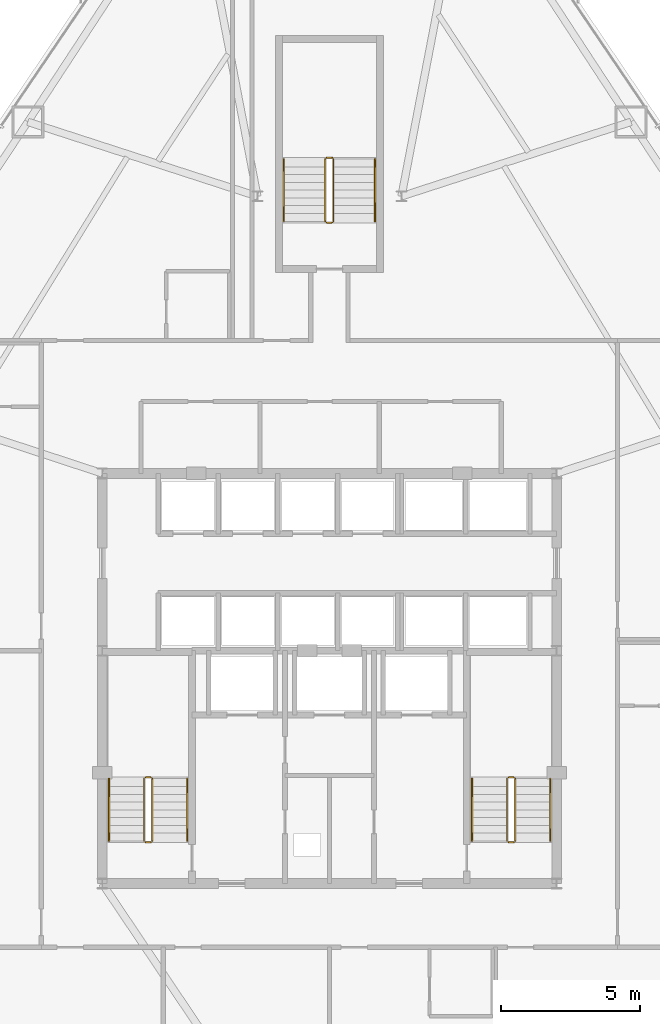
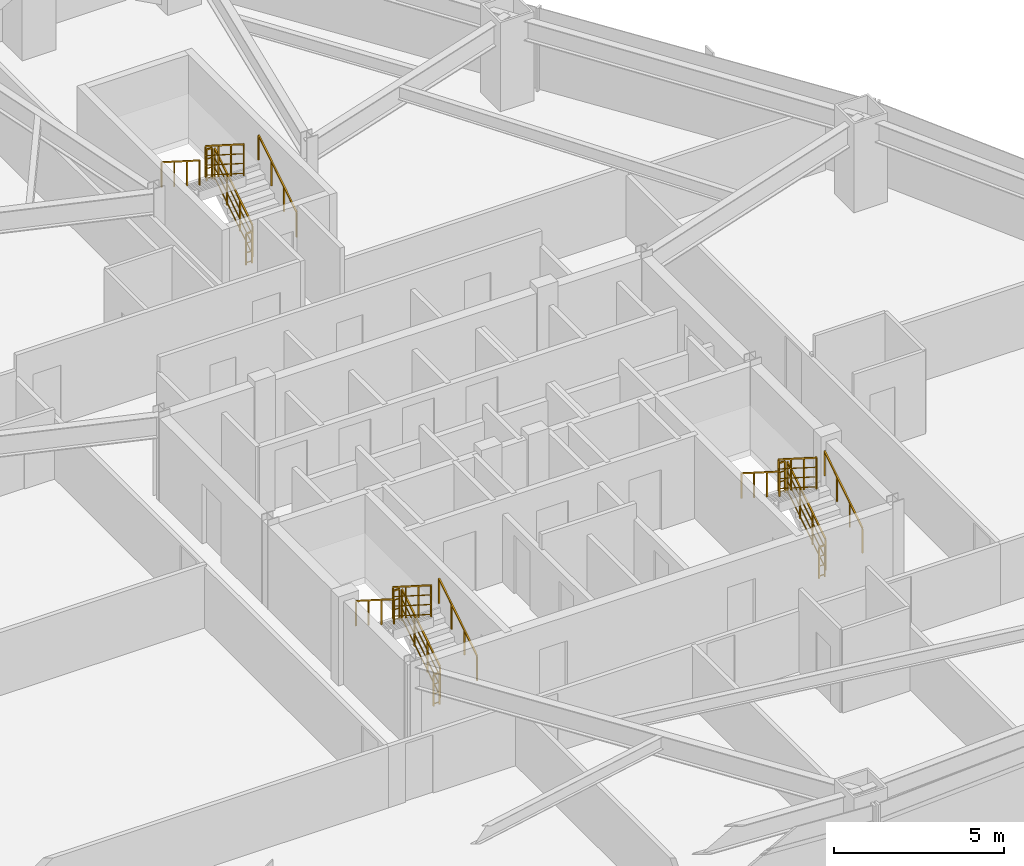
# One storey, part 12 of 12: 18 railings.
"""IFC4 building model written with IfcOpenShell, lengths in metres."""

from ifc_helpers import new_model, si_unit, direction, frame, origin, origin_2d, place, context, subcontext, project, spatial, rectangle, extrude, material, type_object, element, save


model = new_model("IFC4")

# Units and contexts
model_context = context("Model", 3, precision=1e-05, world=origin(), true_north=direction((0.0, 1.0)))
body_context = subcontext(model_context, "Body", "Model", "MODEL_VIEW")
ifc_project = project(units=[si_unit("LENGTHUNIT", "METRE"), si_unit("AREAUNIT", "SQUARE_METRE"), si_unit("VOLUMEUNIT", "CUBIC_METRE"), si_unit("PLANEANGLEUNIT", "RADIAN"), si_unit("MASSUNIT", "GRAM", prefix="KILO")], contexts=[model_context])

# Site, building, storey
site_placement = place(None, origin())
site = spatial("IfcSite", under=ifc_project, at=site_placement, CompositionType="ELEMENT")
building_placement = place(site_placement, origin())
building = spatial("IfcBuilding", under=site, at=building_placement, Name="Varakhsha Concourse Tower", CompositionType="ELEMENT")
storey_placement = place(building_placement, frame((0.0, 0.0, 59.199951171875)))
storey = spatial("IfcBuildingStorey", under=building, at=storey_placement, Name="L16", CompositionType="ELEMENT", Elevation=59.199951171875)

# Railings
ifc_material = material(Name="Brushed Austenitic Stainless Steel AISI 316", Category="steel")
railing_type_1 = type_object("IfcRailingType", Name="RL-STAIR-GUARD-1100", PredefinedType="GUARDRAIL", material=ifc_material)
railing_1_placement = place(storey_placement, frame((33.610107421875, 17.93994140625, 0.177734375)))
element("IfcRailing", 1, at=railing_1_placement, inside=storey, type_object=railing_type_1, Name="L16 ST1 stair guard 1", PredefinedType="GUARDRAIL", context=body_context, shape_type="SweptSolid", body=[
    extrude(rectangle(XDim=0.048095703125, YDim=0.048095703125, at=origin_2d()), frame((0.0, 0.0, 1.1259765625), z_axis=(0.0, 0.84418770128, 0.536047689118), x_axis=(-1.0, 0.0, 0.0)), (0.0, 0.0, 1.0), 2.6533203125),
    extrude(rectangle(XDim=0.028076171875, YDim=0.028076171875, at=origin_2d()), frame((0.0, 0.0, 0.080078125), z_axis=(0.0, 0.84418770128, 0.536047689118), x_axis=(-1.0, 0.0, 0.0)), (0.0, 0.0, 1.0), 2.6533203125),
    extrude(rectangle(XDim=0.028076171875, YDim=0.028076171875, at=origin_2d()), frame((0.0, 0.0, 0.43701171875), z_axis=(0.0, 0.84418770128, 0.536047689118), x_axis=(-1.0, 0.0, 0.0)), (0.0, 0.0, 1.0), 2.6533203125),
    extrude(rectangle(XDim=0.028076171875, YDim=0.028076171875, at=origin_2d()), frame((0.0, 0.0, 0.781982421875), z_axis=(0.0, 0.84418770128, 0.536047689118), x_axis=(-1.0, 0.0, 0.0)), (0.0, 0.0, 1.0), 2.6533203125),
    extrude(rectangle(XDim=0.0419921875, YDim=0.0419921875, at=origin_2d()), origin(), (0.0, 0.0, 1.0), 1.101806640625),
    extrude(rectangle(XDim=0.0419921875, YDim=0.0419921875, at=origin_2d()), frame((0.0, 0.74658203125, 0.47412109375)), (0.0, 0.0, 1.0), 1.101806640625),
    extrude(rectangle(XDim=0.0419921875, YDim=0.0419921875, at=origin_2d()), frame((0.0, 1.493408203125, 0.9482421875)), (0.0, 0.0, 1.0), 1.101806640625),
    extrude(rectangle(XDim=0.0419921875, YDim=0.0419921875, at=origin_2d()), frame((0.0, 2.239990234375, 1.42236328125)), (0.0, 0.0, 1.0), 1.101806640625),
])
railing_2_placement = place(storey_placement, frame((33.56005859375, 20.22998046875, 1.60009765625)))
element("IfcRailing", 2, at=railing_2_placement, inside=storey, type_object=railing_type_1, Name="L16 ST1 stair guard 2", PredefinedType="GUARDRAIL", context=body_context, shape_type="SweptSolid", body=[
    extrude(rectangle(XDim=0.048095703125, YDim=0.048095703125, at=origin_2d()), frame((0.0, 0.0, 1.1259765625), z_axis=(-1.0, 0.0, 0.0), x_axis=(0.0, -1.0, 0.0)), (0.0, 0.0, 1.0), 0.199951171875),
    extrude(rectangle(XDim=0.028076171875, YDim=0.028076171875, at=origin_2d()), frame((0.0, 0.0, 0.080078125), z_axis=(-1.0, 0.0, 0.0), x_axis=(0.0, -1.0, 0.0)), (0.0, 0.0, 1.0), 0.199951171875),
    extrude(rectangle(XDim=0.028076171875, YDim=0.028076171875, at=origin_2d()), frame((0.0, 0.0, 0.43701171875), z_axis=(-1.0, 0.0, 0.0), x_axis=(0.0, -1.0, 0.0)), (0.0, 0.0, 1.0), 0.199951171875),
    extrude(rectangle(XDim=0.028076171875, YDim=0.028076171875, at=origin_2d()), frame((0.0, 0.0, 0.781982421875), z_axis=(-1.0, 0.0, 0.0), x_axis=(0.0, -1.0, 0.0)), (0.0, 0.0, 1.0), 0.199951171875),
    extrude(rectangle(XDim=0.0419921875, YDim=0.0419921875, at=origin_2d()), origin(), (0.0, 0.0, 1.0), 1.101806640625),
    extrude(rectangle(XDim=0.0419921875, YDim=0.0419921875, at=origin_2d()), frame((-0.199951171875, 0.0, 0.0)), (0.0, 0.0, 1.0), 1.101806640625),
])
railing_3_placement = place(storey_placement, frame((33.31005859375, 20.179931640625, 1.77783203125)))
element("IfcRailing", 3, at=railing_3_placement, inside=storey, type_object=railing_type_1, Name="L16 ST1 stair guard 3", PredefinedType="GUARDRAIL", context=body_context, shape_type="SweptSolid", body=[
    extrude(rectangle(XDim=0.048095703125, YDim=0.048095703125, at=origin_2d()), frame((0.0, 0.0, 1.1259765625), z_axis=(0.0, -0.8442293374, 0.53598211339), x_axis=(1.0, 0.0, 0.0)), (0.0, 0.0, 1.0), 2.6533203125),
    extrude(rectangle(XDim=0.028076171875, YDim=0.028076171875, at=origin_2d()), frame((0.0, 0.0, 0.080078125), z_axis=(0.0, -0.8442293374, 0.53598211339), x_axis=(1.0, 0.0, 0.0)), (0.0, 0.0, 1.0), 2.6533203125),
    extrude(rectangle(XDim=0.028076171875, YDim=0.028076171875, at=origin_2d()), frame((0.0, 0.0, 0.43701171875), z_axis=(0.0, -0.8442293374, 0.53598211339), x_axis=(1.0, 0.0, 0.0)), (0.0, 0.0, 1.0), 2.6533203125),
    extrude(rectangle(XDim=0.028076171875, YDim=0.028076171875, at=origin_2d()), frame((0.0, 0.0, 0.781982421875), z_axis=(0.0, -0.8442293374, 0.53598211339), x_axis=(1.0, 0.0, 0.0)), (0.0, 0.0, 1.0), 2.6533203125),
    extrude(rectangle(XDim=0.0419921875, YDim=0.0419921875, at=origin_2d()), origin(), (0.0, 0.0, 1.0), 1.101806640625),
    extrude(rectangle(XDim=0.0419921875, YDim=0.0419921875, at=origin_2d()), frame((0.0, -0.74658203125, 0.47412109375)), (0.0, 0.0, 1.0), 1.101806640625),
    extrude(rectangle(XDim=0.0419921875, YDim=0.0419921875, at=origin_2d()), frame((0.0, -1.493408203125, 0.947998046875)), (0.0, 0.0, 1.0), 1.101806640625),
    extrude(rectangle(XDim=0.0419921875, YDim=0.0419921875, at=origin_2d()), frame((0.0, -2.239990234375, 1.422119140625)), (0.0, 0.0, 1.0), 1.101806640625),
])
railing_4_placement = place(storey_placement, frame((33.56005859375, 17.889892578125, 0.0)))
element("IfcRailing", 4, at=railing_4_placement, inside=storey, type_object=railing_type_1, Name="L16 ST1 stair guard 4", PredefinedType="GUARDRAIL", context=body_context, shape_type="SweptSolid", body=[
    extrude(rectangle(XDim=0.048095703125, YDim=0.048095703125, at=origin_2d()), frame((0.0, 0.0, 1.1259765625), z_axis=(-1.0, 0.0, 0.0), x_axis=(0.0, -1.0, 0.0)), (0.0, 0.0, 1.0), 0.199951171875),
    extrude(rectangle(XDim=0.028076171875, YDim=0.028076171875, at=origin_2d()), frame((0.0, 0.0, 0.080078125), z_axis=(-1.0, 0.0, 0.0), x_axis=(0.0, -1.0, 0.0)), (0.0, 0.0, 1.0), 0.199951171875),
    extrude(rectangle(XDim=0.028076171875, YDim=0.028076171875, at=origin_2d()), frame((0.0, 0.0, 0.43701171875), z_axis=(-1.0, 0.0, 0.0), x_axis=(0.0, -1.0, 0.0)), (0.0, 0.0, 1.0), 0.199951171875),
    extrude(rectangle(XDim=0.028076171875, YDim=0.028076171875, at=origin_2d()), frame((0.0, 0.0, 0.781982421875), z_axis=(-1.0, 0.0, 0.0), x_axis=(0.0, -1.0, 0.0)), (0.0, 0.0, 1.0), 0.199951171875),
    extrude(rectangle(XDim=0.0419921875, YDim=0.0419921875, at=origin_2d()), origin(), (0.0, 0.0, 1.0), 1.101806640625),
    extrude(rectangle(XDim=0.0419921875, YDim=0.0419921875, at=origin_2d()), frame((-0.199951171875, 0.0, 0.0)), (0.0, 0.0, 1.0), 1.101806640625),
])
railing_5_placement = place(storey_placement, frame((46.7099609375, 17.93994140625, 0.177734375)))
element("IfcRailing", 5, at=railing_5_placement, inside=storey, type_object=railing_type_1, Name="L16 ST2 stair guard 1", PredefinedType="GUARDRAIL", context=body_context, shape_type="SweptSolid", body=[
    extrude(rectangle(XDim=0.048095703125, YDim=0.048095703125, at=origin_2d()), frame((0.0, 0.0, 1.1259765625), z_axis=(0.0, 0.84418770128, 0.536047689118), x_axis=(-1.0, 0.0, 0.0)), (0.0, 0.0, 1.0), 2.6533203125),
    extrude(rectangle(XDim=0.028076171875, YDim=0.028076171875, at=origin_2d()), frame((0.0, 0.0, 0.080078125), z_axis=(0.0, 0.84418770128, 0.536047689118), x_axis=(-1.0, 0.0, 0.0)), (0.0, 0.0, 1.0), 2.6533203125),
    extrude(rectangle(XDim=0.028076171875, YDim=0.028076171875, at=origin_2d()), frame((0.0, 0.0, 0.43701171875), z_axis=(0.0, 0.84418770128, 0.536047689118), x_axis=(-1.0, 0.0, 0.0)), (0.0, 0.0, 1.0), 2.6533203125),
    extrude(rectangle(XDim=0.028076171875, YDim=0.028076171875, at=origin_2d()), frame((0.0, 0.0, 0.781982421875), z_axis=(0.0, 0.84418770128, 0.536047689118), x_axis=(-1.0, 0.0, 0.0)), (0.0, 0.0, 1.0), 2.6533203125),
    extrude(rectangle(XDim=0.0419921875, YDim=0.0419921875, at=origin_2d()), origin(), (0.0, 0.0, 1.0), 1.101806640625),
    extrude(rectangle(XDim=0.0419921875, YDim=0.0419921875, at=origin_2d()), frame((0.0, 0.74658203125, 0.47412109375)), (0.0, 0.0, 1.0), 1.101806640625),
    extrude(rectangle(XDim=0.0419921875, YDim=0.0419921875, at=origin_2d()), frame((0.0, 1.493408203125, 0.9482421875)), (0.0, 0.0, 1.0), 1.101806640625),
    extrude(rectangle(XDim=0.0419921875, YDim=0.0419921875, at=origin_2d()), frame((0.0, 2.239990234375, 1.42236328125)), (0.0, 0.0, 1.0), 1.101806640625),
])
railing_6_placement = place(storey_placement, frame((46.659912109375, 20.22998046875, 1.60009765625)))
element("IfcRailing", 6, at=railing_6_placement, inside=storey, type_object=railing_type_1, Name="L16 ST2 stair guard 2", PredefinedType="GUARDRAIL", context=body_context, shape_type="SweptSolid", body=[
    extrude(rectangle(XDim=0.048095703125, YDim=0.048095703125, at=origin_2d()), frame((0.0, 0.0, 1.1259765625), z_axis=(-1.0, 0.0, 0.0), x_axis=(0.0, -1.0, 0.0)), (0.0, 0.0, 1.0), 0.199951171875),
    extrude(rectangle(XDim=0.028076171875, YDim=0.028076171875, at=origin_2d()), frame((0.0, 0.0, 0.080078125), z_axis=(-1.0, 0.0, 0.0), x_axis=(0.0, -1.0, 0.0)), (0.0, 0.0, 1.0), 0.199951171875),
    extrude(rectangle(XDim=0.028076171875, YDim=0.028076171875, at=origin_2d()), frame((0.0, 0.0, 0.43701171875), z_axis=(-1.0, 0.0, 0.0), x_axis=(0.0, -1.0, 0.0)), (0.0, 0.0, 1.0), 0.199951171875),
    extrude(rectangle(XDim=0.028076171875, YDim=0.028076171875, at=origin_2d()), frame((0.0, 0.0, 0.781982421875), z_axis=(-1.0, 0.0, 0.0), x_axis=(0.0, -1.0, 0.0)), (0.0, 0.0, 1.0), 0.199951171875),
    extrude(rectangle(XDim=0.0419921875, YDim=0.0419921875, at=origin_2d()), origin(), (0.0, 0.0, 1.0), 1.101806640625),
    extrude(rectangle(XDim=0.0419921875, YDim=0.0419921875, at=origin_2d()), frame((-0.199951171875, 0.0, 0.0)), (0.0, 0.0, 1.0), 1.101806640625),
])
railing_7_placement = place(storey_placement, frame((46.409912109375, 20.179931640625, 1.77783203125)))
element("IfcRailing", 7, at=railing_7_placement, inside=storey, type_object=railing_type_1, Name="L16 ST2 stair guard 3", PredefinedType="GUARDRAIL", context=body_context, shape_type="SweptSolid", body=[
    extrude(rectangle(XDim=0.048095703125, YDim=0.048095703125, at=origin_2d()), frame((0.0, 0.0, 1.1259765625), z_axis=(0.0, -0.8442293374, 0.53598211339), x_axis=(1.0, 0.0, 0.0)), (0.0, 0.0, 1.0), 2.6533203125),
    extrude(rectangle(XDim=0.028076171875, YDim=0.028076171875, at=origin_2d()), frame((0.0, 0.0, 0.080078125), z_axis=(0.0, -0.8442293374, 0.53598211339), x_axis=(1.0, 0.0, 0.0)), (0.0, 0.0, 1.0), 2.6533203125),
    extrude(rectangle(XDim=0.028076171875, YDim=0.028076171875, at=origin_2d()), frame((0.0, 0.0, 0.43701171875), z_axis=(0.0, -0.8442293374, 0.53598211339), x_axis=(1.0, 0.0, 0.0)), (0.0, 0.0, 1.0), 2.6533203125),
    extrude(rectangle(XDim=0.028076171875, YDim=0.028076171875, at=origin_2d()), frame((0.0, 0.0, 0.781982421875), z_axis=(0.0, -0.8442293374, 0.53598211339), x_axis=(1.0, 0.0, 0.0)), (0.0, 0.0, 1.0), 2.6533203125),
    extrude(rectangle(XDim=0.0419921875, YDim=0.0419921875, at=origin_2d()), origin(), (0.0, 0.0, 1.0), 1.101806640625),
    extrude(rectangle(XDim=0.0419921875, YDim=0.0419921875, at=origin_2d()), frame((0.0, -0.74658203125, 0.47412109375)), (0.0, 0.0, 1.0), 1.101806640625),
    extrude(rectangle(XDim=0.0419921875, YDim=0.0419921875, at=origin_2d()), frame((0.0, -1.493408203125, 0.947998046875)), (0.0, 0.0, 1.0), 1.101806640625),
    extrude(rectangle(XDim=0.0419921875, YDim=0.0419921875, at=origin_2d()), frame((0.0, -2.239990234375, 1.422119140625)), (0.0, 0.0, 1.0), 1.101806640625),
])
railing_8_placement = place(storey_placement, frame((46.659912109375, 17.889892578125, 0.0)))
element("IfcRailing", 8, at=railing_8_placement, inside=storey, type_object=railing_type_1, Name="L16 ST2 stair guard 4", PredefinedType="GUARDRAIL", context=body_context, shape_type="SweptSolid", body=[
    extrude(rectangle(XDim=0.048095703125, YDim=0.048095703125, at=origin_2d()), frame((0.0, 0.0, 1.1259765625), z_axis=(-1.0, 0.0, 0.0), x_axis=(0.0, -1.0, 0.0)), (0.0, 0.0, 1.0), 0.199951171875),
    extrude(rectangle(XDim=0.028076171875, YDim=0.028076171875, at=origin_2d()), frame((0.0, 0.0, 0.080078125), z_axis=(-1.0, 0.0, 0.0), x_axis=(0.0, -1.0, 0.0)), (0.0, 0.0, 1.0), 0.199951171875),
    extrude(rectangle(XDim=0.028076171875, YDim=0.028076171875, at=origin_2d()), frame((0.0, 0.0, 0.43701171875), z_axis=(-1.0, 0.0, 0.0), x_axis=(0.0, -1.0, 0.0)), (0.0, 0.0, 1.0), 0.199951171875),
    extrude(rectangle(XDim=0.028076171875, YDim=0.028076171875, at=origin_2d()), frame((0.0, 0.0, 0.781982421875), z_axis=(-1.0, 0.0, 0.0), x_axis=(0.0, -1.0, 0.0)), (0.0, 0.0, 1.0), 0.199951171875),
    extrude(rectangle(XDim=0.0419921875, YDim=0.0419921875, at=origin_2d()), origin(), (0.0, 0.0, 1.0), 1.101806640625),
    extrude(rectangle(XDim=0.0419921875, YDim=0.0419921875, at=origin_2d()), frame((-0.199951171875, 0.0, 0.0)), (0.0, 0.0, 1.0), 1.101806640625),
])
railing_9_placement = place(storey_placement, frame((40.14990234375, 40.300048828125, 0.177734375)))
element("IfcRailing", 9, at=railing_9_placement, inside=storey, type_object=railing_type_1, Name="L16 ST5 stair guard 1", PredefinedType="GUARDRAIL", context=body_context, shape_type="SweptSolid", body=[
    extrude(rectangle(XDim=0.048095703125, YDim=0.048095703125, at=origin_2d()), frame((0.0, 0.0, 1.1259765625), z_axis=(0.0, 0.84418770128, 0.536047689118), x_axis=(-1.0, 0.0, 0.0)), (0.0, 0.0, 1.0), 2.6533203125),
    extrude(rectangle(XDim=0.028076171875, YDim=0.028076171875, at=origin_2d()), frame((0.0, 0.0, 0.080078125), z_axis=(0.0, 0.84418770128, 0.536047689118), x_axis=(-1.0, 0.0, 0.0)), (0.0, 0.0, 1.0), 2.6533203125),
    extrude(rectangle(XDim=0.028076171875, YDim=0.028076171875, at=origin_2d()), frame((0.0, 0.0, 0.43701171875), z_axis=(0.0, 0.84418770128, 0.536047689118), x_axis=(-1.0, 0.0, 0.0)), (0.0, 0.0, 1.0), 2.6533203125),
    extrude(rectangle(XDim=0.028076171875, YDim=0.028076171875, at=origin_2d()), frame((0.0, 0.0, 0.781982421875), z_axis=(0.0, 0.84418770128, 0.536047689118), x_axis=(-1.0, 0.0, 0.0)), (0.0, 0.0, 1.0), 2.6533203125),
    extrude(rectangle(XDim=0.0419921875, YDim=0.0419921875, at=origin_2d()), origin(), (0.0, 0.0, 1.0), 1.101806640625),
    extrude(rectangle(XDim=0.0419921875, YDim=0.0419921875, at=origin_2d()), frame((0.0, 0.74658203125, 0.47412109375)), (0.0, 0.0, 1.0), 1.101806640625),
    extrude(rectangle(XDim=0.0419921875, YDim=0.0419921875, at=origin_2d()), frame((0.0, 1.493408203125, 0.9482421875)), (0.0, 0.0, 1.0), 1.101806640625),
    extrude(rectangle(XDim=0.0419921875, YDim=0.0419921875, at=origin_2d()), frame((0.0, 2.239990234375, 1.42236328125)), (0.0, 0.0, 1.0), 1.101806640625),
])
railing_10_placement = place(storey_placement, frame((40.10009765625, 42.590087890625, 1.60009765625)))
element("IfcRailing", 10, at=railing_10_placement, inside=storey, type_object=railing_type_1, Name="L16 ST5 stair guard 2", PredefinedType="GUARDRAIL", context=body_context, shape_type="SweptSolid", body=[
    extrude(rectangle(XDim=0.048095703125, YDim=0.048095703125, at=origin_2d()), frame((0.0, 0.0, 1.1259765625), z_axis=(-1.0, 0.0, 0.0), x_axis=(0.0, -1.0, 0.0)), (0.0, 0.0, 1.0), 0.2001953125),
    extrude(rectangle(XDim=0.028076171875, YDim=0.028076171875, at=origin_2d()), frame((0.0, 0.0, 0.080078125), z_axis=(-1.0, 0.0, 0.0), x_axis=(0.0, -1.0, 0.0)), (0.0, 0.0, 1.0), 0.2001953125),
    extrude(rectangle(XDim=0.028076171875, YDim=0.028076171875, at=origin_2d()), frame((0.0, 0.0, 0.43701171875), z_axis=(-1.0, 0.0, 0.0), x_axis=(0.0, -1.0, 0.0)), (0.0, 0.0, 1.0), 0.2001953125),
    extrude(rectangle(XDim=0.028076171875, YDim=0.028076171875, at=origin_2d()), frame((0.0, 0.0, 0.781982421875), z_axis=(-1.0, 0.0, 0.0), x_axis=(0.0, -1.0, 0.0)), (0.0, 0.0, 1.0), 0.2001953125),
    extrude(rectangle(XDim=0.0419921875, YDim=0.0419921875, at=origin_2d()), origin(), (0.0, 0.0, 1.0), 1.101806640625),
    extrude(rectangle(XDim=0.0419921875, YDim=0.0419921875, at=origin_2d()), frame((-0.2001953125, 0.0, 0.0)), (0.0, 0.0, 1.0), 1.101806640625),
])
railing_11_placement = place(storey_placement, frame((39.85009765625, 42.5400390625, 1.77783203125)))
element("IfcRailing", 11, at=railing_11_placement, inside=storey, type_object=railing_type_1, Name="L16 ST5 stair guard 3", PredefinedType="GUARDRAIL", context=body_context, shape_type="SweptSolid", body=[
    extrude(rectangle(XDim=0.048095703125, YDim=0.048095703125, at=origin_2d()), frame((0.0, 0.0, 1.1259765625), z_axis=(0.0, -0.8442293374, 0.53598211339), x_axis=(1.0, 0.0, 0.0)), (0.0, 0.0, 1.0), 2.6533203125),
    extrude(rectangle(XDim=0.028076171875, YDim=0.028076171875, at=origin_2d()), frame((0.0, 0.0, 0.080078125), z_axis=(0.0, -0.8442293374, 0.53598211339), x_axis=(1.0, 0.0, 0.0)), (0.0, 0.0, 1.0), 2.6533203125),
    extrude(rectangle(XDim=0.028076171875, YDim=0.028076171875, at=origin_2d()), frame((0.0, 0.0, 0.43701171875), z_axis=(0.0, -0.8442293374, 0.53598211339), x_axis=(1.0, 0.0, 0.0)), (0.0, 0.0, 1.0), 2.6533203125),
    extrude(rectangle(XDim=0.028076171875, YDim=0.028076171875, at=origin_2d()), frame((0.0, 0.0, 0.781982421875), z_axis=(0.0, -0.8442293374, 0.53598211339), x_axis=(1.0, 0.0, 0.0)), (0.0, 0.0, 1.0), 2.6533203125),
    extrude(rectangle(XDim=0.0419921875, YDim=0.0419921875, at=origin_2d()), origin(), (0.0, 0.0, 1.0), 1.101806640625),
    extrude(rectangle(XDim=0.0419921875, YDim=0.0419921875, at=origin_2d()), frame((0.0, -0.74658203125, 0.47412109375)), (0.0, 0.0, 1.0), 1.101806640625),
    extrude(rectangle(XDim=0.0419921875, YDim=0.0419921875, at=origin_2d()), frame((0.0, -1.493408203125, 0.947998046875)), (0.0, 0.0, 1.0), 1.101806640625),
    extrude(rectangle(XDim=0.0419921875, YDim=0.0419921875, at=origin_2d()), frame((0.0, -2.239990234375, 1.422119140625)), (0.0, 0.0, 1.0), 1.101806640625),
])
railing_12_placement = place(storey_placement, frame((40.10009765625, 40.25, 0.0)))
element("IfcRailing", 12, at=railing_12_placement, inside=storey, type_object=railing_type_1, Name="L16 ST5 stair guard 4", PredefinedType="GUARDRAIL", context=body_context, shape_type="SweptSolid", body=[
    extrude(rectangle(XDim=0.048095703125, YDim=0.048095703125, at=origin_2d()), frame((0.0, 0.0, 1.1259765625), z_axis=(-1.0, 0.0, 0.0), x_axis=(0.0, -1.0, 0.0)), (0.0, 0.0, 1.0), 0.2001953125),
    extrude(rectangle(XDim=0.028076171875, YDim=0.028076171875, at=origin_2d()), frame((0.0, 0.0, 0.080078125), z_axis=(-1.0, 0.0, 0.0), x_axis=(0.0, -1.0, 0.0)), (0.0, 0.0, 1.0), 0.2001953125),
    extrude(rectangle(XDim=0.028076171875, YDim=0.028076171875, at=origin_2d()), frame((0.0, 0.0, 0.43701171875), z_axis=(-1.0, 0.0, 0.0), x_axis=(0.0, -1.0, 0.0)), (0.0, 0.0, 1.0), 0.2001953125),
    extrude(rectangle(XDim=0.028076171875, YDim=0.028076171875, at=origin_2d()), frame((0.0, 0.0, 0.781982421875), z_axis=(-1.0, 0.0, 0.0), x_axis=(0.0, -1.0, 0.0)), (0.0, 0.0, 1.0), 0.2001953125),
    extrude(rectangle(XDim=0.0419921875, YDim=0.0419921875, at=origin_2d()), origin(), (0.0, 0.0, 1.0), 1.101806640625),
    extrude(rectangle(XDim=0.0419921875, YDim=0.0419921875, at=origin_2d()), frame((-0.2001953125, 0.0, 0.0)), (0.0, 0.0, 1.0), 1.101806640625),
])
railing_type_2 = type_object("IfcRailingType", Name="RL-STAIR-RAIL-915", PredefinedType="HANDRAIL", material=ifc_material)
railing_13_placement = place(storey_placement, frame((34.8701171875, 17.93994140625, 0.355712890625)))
element("IfcRailing", 13, at=railing_13_placement, inside=storey, type_object=railing_type_2, Name="L16 ST1 stair handrail 1", PredefinedType="HANDRAIL", context=body_context, shape_type="SweptSolid", body=[
    extrude(rectangle(XDim=0.048095703125, YDim=0.048095703125, at=origin_2d()), frame((0.0, 0.0, 0.89111328125), z_axis=(0.0, 0.8442293374, 0.53598211339), x_axis=(-1.0, 0.0, 0.0)), (0.0, 0.0, 1.0), 2.6533203125),
    extrude(rectangle(XDim=0.0419921875, YDim=0.0419921875, at=origin_2d()), origin(), (0.0, 0.0, 1.0), 0.866943359375),
    extrude(rectangle(XDim=0.0419921875, YDim=0.0419921875, at=origin_2d()), frame((0.0, 0.74658203125, 0.47412109375)), (0.0, 0.0, 1.0), 0.866943359375),
    extrude(rectangle(XDim=0.0419921875, YDim=0.0419921875, at=origin_2d()), frame((0.0, 1.493408203125, 0.947998046875)), (0.0, 0.0, 1.0), 0.866943359375),
    extrude(rectangle(XDim=0.0419921875, YDim=0.0419921875, at=origin_2d()), frame((0.0, 2.239990234375, 1.422119140625)), (0.0, 0.0, 1.0), 0.866943359375),
])
railing_14_placement = place(storey_placement, frame((32.050048828125, 20.179931640625, 1.95556640625)))
element("IfcRailing", 14, at=railing_14_placement, inside=storey, type_object=railing_type_2, Name="L16 ST1 stair handrail 2", PredefinedType="HANDRAIL", context=body_context, shape_type="SweptSolid", body=[
    extrude(rectangle(XDim=0.048095703125, YDim=0.048095703125, at=origin_2d()), frame((0.0, 0.0, 0.89111328125), z_axis=(0.0, -0.84418770128, 0.536047689118), x_axis=(1.0, 0.0, 0.0)), (0.0, 0.0, 1.0), 2.6533203125),
    extrude(rectangle(XDim=0.0419921875, YDim=0.0419921875, at=origin_2d()), origin(), (0.0, 0.0, 1.0), 0.866943359375),
    extrude(rectangle(XDim=0.0419921875, YDim=0.0419921875, at=origin_2d()), frame((0.0, -0.74658203125, 0.47412109375)), (0.0, 0.0, 1.0), 0.866943359375),
    extrude(rectangle(XDim=0.0419921875, YDim=0.0419921875, at=origin_2d()), frame((0.0, -1.493408203125, 0.9482421875)), (0.0, 0.0, 1.0), 0.866943359375),
    extrude(rectangle(XDim=0.0419921875, YDim=0.0419921875, at=origin_2d()), frame((0.0, -2.239990234375, 1.42236328125)), (0.0, 0.0, 1.0), 0.866943359375),
])
railing_15_placement = place(storey_placement, frame((47.969970703125, 17.93994140625, 0.355712890625)))
element("IfcRailing", 15, at=railing_15_placement, inside=storey, type_object=railing_type_2, Name="L16 ST2 stair handrail 1", PredefinedType="HANDRAIL", context=body_context, shape_type="SweptSolid", body=[
    extrude(rectangle(XDim=0.048095703125, YDim=0.048095703125, at=origin_2d()), frame((0.0, 0.0, 0.89111328125), z_axis=(0.0, 0.8442293374, 0.53598211339), x_axis=(-1.0, 0.0, 0.0)), (0.0, 0.0, 1.0), 2.6533203125),
    extrude(rectangle(XDim=0.0419921875, YDim=0.0419921875, at=origin_2d()), origin(), (0.0, 0.0, 1.0), 0.866943359375),
    extrude(rectangle(XDim=0.0419921875, YDim=0.0419921875, at=origin_2d()), frame((0.0, 0.74658203125, 0.47412109375)), (0.0, 0.0, 1.0), 0.866943359375),
    extrude(rectangle(XDim=0.0419921875, YDim=0.0419921875, at=origin_2d()), frame((0.0, 1.493408203125, 0.947998046875)), (0.0, 0.0, 1.0), 0.866943359375),
    extrude(rectangle(XDim=0.0419921875, YDim=0.0419921875, at=origin_2d()), frame((0.0, 2.239990234375, 1.422119140625)), (0.0, 0.0, 1.0), 0.866943359375),
])
railing_16_placement = place(storey_placement, frame((45.14990234375, 20.179931640625, 1.95556640625)))
element("IfcRailing", 16, at=railing_16_placement, inside=storey, type_object=railing_type_2, Name="L16 ST2 stair handrail 2", PredefinedType="HANDRAIL", context=body_context, shape_type="SweptSolid", body=[
    extrude(rectangle(XDim=0.048095703125, YDim=0.048095703125, at=origin_2d()), frame((0.0, 0.0, 0.89111328125), z_axis=(0.0, -0.84418770128, 0.536047689118), x_axis=(1.0, 0.0, 0.0)), (0.0, 0.0, 1.0), 2.6533203125),
    extrude(rectangle(XDim=0.0419921875, YDim=0.0419921875, at=origin_2d()), origin(), (0.0, 0.0, 1.0), 0.866943359375),
    extrude(rectangle(XDim=0.0419921875, YDim=0.0419921875, at=origin_2d()), frame((0.0, -0.74658203125, 0.47412109375)), (0.0, 0.0, 1.0), 0.866943359375),
    extrude(rectangle(XDim=0.0419921875, YDim=0.0419921875, at=origin_2d()), frame((0.0, -1.493408203125, 0.9482421875)), (0.0, 0.0, 1.0), 0.866943359375),
    extrude(rectangle(XDim=0.0419921875, YDim=0.0419921875, at=origin_2d()), frame((0.0, -2.239990234375, 1.42236328125)), (0.0, 0.0, 1.0), 0.866943359375),
])
railing_17_placement = place(storey_placement, frame((41.64990234375, 40.300048828125, 0.355712890625)))
element("IfcRailing", 17, at=railing_17_placement, inside=storey, type_object=railing_type_2, Name="L16 ST5 stair handrail 1", PredefinedType="HANDRAIL", context=body_context, shape_type="SweptSolid", body=[
    extrude(rectangle(XDim=0.048095703125, YDim=0.048095703125, at=origin_2d()), frame((0.0, 0.0, 0.89111328125), z_axis=(0.0, 0.8442293374, 0.53598211339), x_axis=(-1.0, 0.0, 0.0)), (0.0, 0.0, 1.0), 2.6533203125),
    extrude(rectangle(XDim=0.0419921875, YDim=0.0419921875, at=origin_2d()), origin(), (0.0, 0.0, 1.0), 0.866943359375),
    extrude(rectangle(XDim=0.0419921875, YDim=0.0419921875, at=origin_2d()), frame((0.0, 0.74658203125, 0.47412109375)), (0.0, 0.0, 1.0), 0.866943359375),
    extrude(rectangle(XDim=0.0419921875, YDim=0.0419921875, at=origin_2d()), frame((0.0, 1.493408203125, 0.947998046875)), (0.0, 0.0, 1.0), 0.866943359375),
    extrude(rectangle(XDim=0.0419921875, YDim=0.0419921875, at=origin_2d()), frame((0.0, 2.239990234375, 1.422119140625)), (0.0, 0.0, 1.0), 0.866943359375),
])
railing_18_placement = place(storey_placement, frame((38.35009765625, 42.5400390625, 1.95556640625)))
element("IfcRailing", 18, at=railing_18_placement, inside=storey, type_object=railing_type_2, Name="L16 ST5 stair handrail 2", PredefinedType="HANDRAIL", context=body_context, shape_type="SweptSolid", body=[
    extrude(rectangle(XDim=0.048095703125, YDim=0.048095703125, at=origin_2d()), frame((0.0, 0.0, 0.89111328125), z_axis=(0.0, -0.84418770128, 0.536047689118), x_axis=(1.0, 0.0, 0.0)), (0.0, 0.0, 1.0), 2.6533203125),
    extrude(rectangle(XDim=0.0419921875, YDim=0.0419921875, at=origin_2d()), origin(), (0.0, 0.0, 1.0), 0.866943359375),
    extrude(rectangle(XDim=0.0419921875, YDim=0.0419921875, at=origin_2d()), frame((0.0, -0.74658203125, 0.47412109375)), (0.0, 0.0, 1.0), 0.866943359375),
    extrude(rectangle(XDim=0.0419921875, YDim=0.0419921875, at=origin_2d()), frame((0.0, -1.493408203125, 0.9482421875)), (0.0, 0.0, 1.0), 0.866943359375),
    extrude(rectangle(XDim=0.0419921875, YDim=0.0419921875, at=origin_2d()), frame((0.0, -2.239990234375, 1.42236328125)), (0.0, 0.0, 1.0), 0.866943359375),
])

save(model, "model.ifc")
